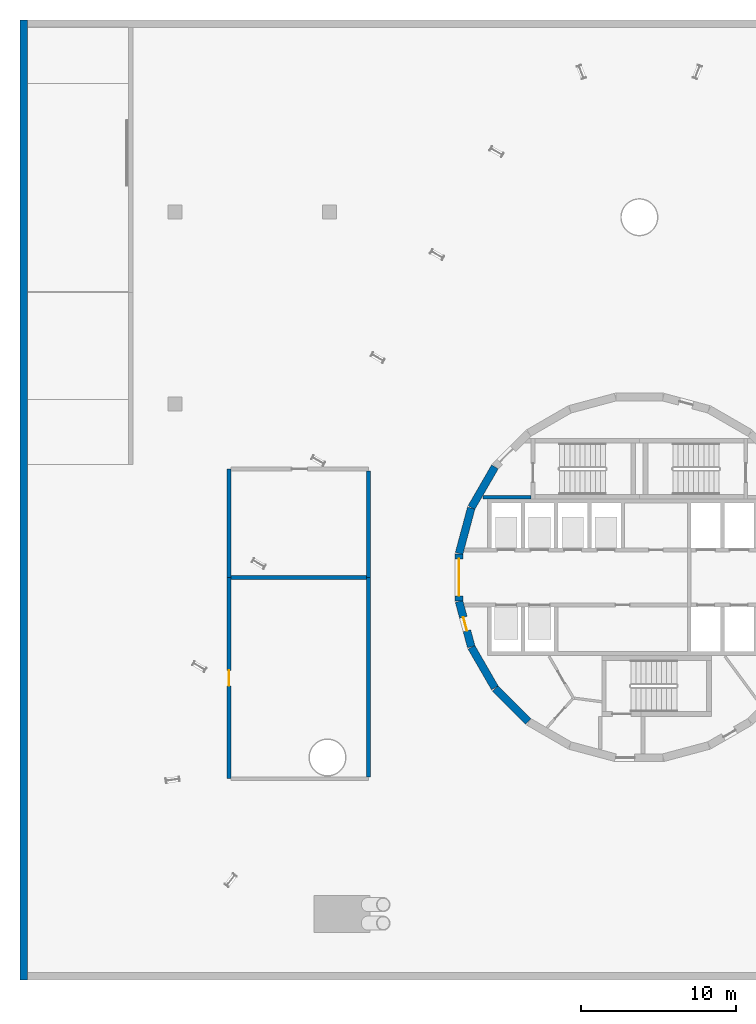
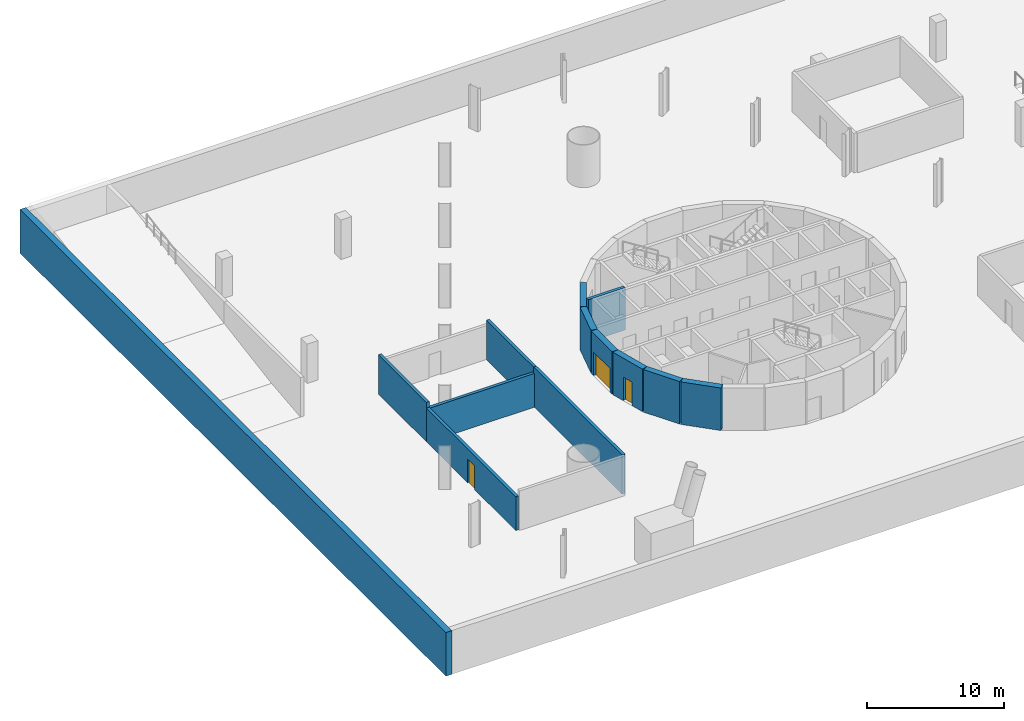
# One storey, part 4 of 10: 13 walls, 3 doors, 3 openings.
"""IFC4 building model written with IfcOpenShell, lengths in metres."""

from ifc_helpers import new_model, si_unit, direction, frame, frame_2d, origin, place, context, subcontext, project, spatial, rectangle, extrude, material, layer, layer_set, type_object, element, fill, save


model = new_model("IFC4")

# Units and contexts
model_context = context("Model", 3, precision=1e-05, world=origin(), true_north=direction((0.0, 1.0)))
body_context = subcontext(model_context, "Body", "Model", "MODEL_VIEW")
ifc_project = project(units=[si_unit("LENGTHUNIT", "METRE"), si_unit("AREAUNIT", "SQUARE_METRE"), si_unit("VOLUMEUNIT", "CUBIC_METRE"), si_unit("PLANEANGLEUNIT", "RADIAN"), si_unit("MASSUNIT", "GRAM", prefix="KILO")], contexts=[model_context])

# Site, building, storey
site_placement = place(None, origin())
site = spatial("IfcSite", under=ifc_project, at=site_placement, CompositionType="ELEMENT")
building_placement = place(site_placement, origin())
building = spatial("IfcBuilding", under=site, at=building_placement, Name="Spindle Arch Residences", CompositionType="ELEMENT")
storey_placement = place(building_placement, frame((0.0, 0.0, -4.199951171875)))
storey = spatial("IfcBuildingStorey", under=building, at=storey_placement, Name="B1", CompositionType="ELEMENT", Elevation=-4.199951171875)

# Walls
ifc_material_1 = material(Name="Concrete C40/50", Category="concrete")
ifc_layer_1 = layer(ifc_material_1, 0.5)
ifc_layer_set_1 = layer_set([ifc_layer_1], Name="Basement retaining wall 500")
wall_type_1 = type_object("IfcWallType", Name="Basement retaining wall 500", PredefinedType="SOLIDWALL", material=ifc_layer_set_1)
wall_1_placement = place(storey_placement, frame((-39.75, 36.0, -0.380126953125), z_axis=(0.0, 0.0, 1.0), x_axis=(0.0, -1.0, 0.0)))
element("IfcWall", 1, at=wall_1_placement, inside=storey, type_object=wall_type_1, Name="Retaining wall 4", PredefinedType="SOLIDWALL", context=body_context, shape_type="SweptSolid", body=[
    extrude(rectangle(XDim=62.0, YDim=0.5, at=frame_2d((31.0, 0.0))), origin(), (0.0, 0.0, 1.0), 3.880126953125),
])
ifc_material_2 = material(Name="Concrete C50/60", Category="concrete")
ifc_layer_2 = layer(ifc_material_2, 0.5)
ifc_layer_set_2 = layer_set([ifc_layer_2], Name="Core outline wall 500")
wall_type_2 = type_object("IfcWallType", Name="Core outline wall 500", PredefinedType="SHEAR", material=ifc_layer_set_2)
for number, where, z_axis, x_axis, name in (
    (2, (-9.32861328125, 7.13671875, 0.0), (0.0, 0.0, 1.0), (-0.500087131594, -0.865975092491, 0.0), "Core outline wall 16"),
    (3, (-10.858154296875, 4.479248046875, 0.0), (0.0, 0.0, 1.0), (-0.258734743916, -0.965948410781, 0.0), "Core outline wall 17"),
):
    element("IfcWall", number, at=place(storey_placement, frame(where, z_axis=z_axis, x_axis=x_axis)), inside=storey, type_object=wall_type_2, Name=name, PredefinedType="SHEAR", context=body_context, shape_type="SweptSolid", body=[
        extrude(rectangle(XDim=3.03271484375, YDim=0.5, at=frame_2d((1.516357421875, 0.0))), origin(), (0.0, 0.0, 1.0), 3.780029296875),
    ])

# Wall, opening, door
wall_2_placement = place(storey_placement, frame((-11.647216796875, 1.516357421875, 0.0), z_axis=(0.0, 0.0, 1.0), x_axis=(0.0, -1.0, 0.0)))
wall_2 = element("IfcWall", 4, at=wall_2_placement, inside=storey, type_object=wall_type_2, Name="Core outline wall 18", PredefinedType="SHEAR", context=body_context, shape_type="SweptSolid", body=[
    extrude(rectangle(XDim=3.03271484375, YDim=0.5, at=frame_2d((1.516357421875, 0.0))), origin(), (0.0, 0.0, 1.0), 3.780029296875),
])
opening_1_placement = place(wall_2_placement, frame((0.31640625, 0.0, 0.0)))
opening_1 = element("IfcOpeningElement", 5, at=opening_1_placement, cuts=wall_2, Name="Opening B1-LE01", PredefinedType="OPENING", context=body_context, shape_type="SweptSolid", body=[
    extrude(rectangle(XDim=2.39990234375, YDim=2.10009765625, at=frame_2d((1.199951171875, 1.050048828125))), frame((0.0, 0.260009765625, 0.0), z_axis=(0.0, -1.0, 0.0), x_axis=(1.0, 0.0, 0.0)), (0.0, 0.0, 1.0), 0.52001953125),
])
ifc_material_3 = material(Name="Steel, fire-resisting door", Category="steel")
door_type_1 = type_object("IfcDoorType", Name="Lift lobby entrance door 2400x2100", OperationType="DOUBLE_DOOR_SINGLE_SWING", PredefinedType="DOOR", material=ifc_material_3)
door_1_placement = place(opening_1_placement, origin())
door_1 = element("IfcDoor", 6, at=door_1_placement, inside=storey, type_object=door_type_1, Name="Lift lobby entrance door B1-LE01", OperationType="DOUBLE_DOOR_SINGLE_SWING", OverallHeight=2.10009765625, OverallWidth=2.39990234375, PredefinedType="DOOR", context=body_context, shape_type="SweptSolid", body=[
    extrude(rectangle(XDim=2.39990234375, YDim=2.10009765625, at=frame_2d((1.199951171875, 1.050048828125))), frame((0.0, 0.02490234375, 0.0), z_axis=(0.0, -1.0, 0.0), x_axis=(1.0, 0.0, 0.0)), (0.0, 0.0, 1.0), 0.050048828125),
])
fill(opening_1, door_1)

wall_3_placement = place(storey_placement, frame((-11.642822265625, -1.5498046875, 0.0), z_axis=(0.0, 0.0, 1.0), x_axis=(0.258734743916, -0.965948410781, 0.0)))
wall_3 = element("IfcWall", 7, at=wall_3_placement, inside=storey, type_object=wall_type_2, Name="Core outline wall 19", PredefinedType="SHEAR", context=body_context, shape_type="SweptSolid", body=[
    extrude(rectangle(XDim=3.03271484375, YDim=0.5, at=frame_2d((1.516357421875, 0.0))), origin(), (0.0, 0.0, 1.0), 3.780029296875),
])
opening_2_placement = place(wall_3_placement, frame((1.06640625, 0.0, 0.0)))
opening_2 = element("IfcOpeningElement", 8, at=opening_2_placement, cuts=wall_3, Name="Opening B1-WD08", PredefinedType="OPENING", context=body_context, shape_type="SweptSolid", body=[
    extrude(rectangle(XDim=0.89990234375, YDim=2.10009765625, at=frame_2d((0.449951171875, 1.050048828125))), frame((0.0, 0.260009765625, 0.0), z_axis=(0.0, -1.0, 0.0), x_axis=(1.0, 0.0, 0.0)), (0.0, 0.0, 1.0), 0.52001953125),
])
ifc_material_4 = material(Name="Steel, fire-resisting door", Category="steel")
door_type_2 = type_object("IfcDoorType", Name="Service room door 900x2100", OperationType="SINGLE_SWING_LEFT", PredefinedType="DOOR", material=ifc_material_4)
door_2_placement = place(opening_2_placement, origin())
door_2 = element("IfcDoor", 9, at=door_2_placement, inside=storey, type_object=door_type_2, Name="Service room door B1-WD08", OperationType="SINGLE_SWING_LEFT", OverallHeight=2.10009765625, OverallWidth=0.89990234375, PredefinedType="DOOR", context=body_context, shape_type="SweptSolid", body=[
    extrude(rectangle(XDim=0.89990234375, YDim=2.10009765625, at=frame_2d((0.449951171875, 1.050048828125))), frame((0.0, 0.02490234375, 0.0), z_axis=(0.0, -1.0, 0.0), x_axis=(1.0, 0.0, 0.0)), (0.0, 0.0, 1.0), 0.050048828125),
])
fill(opening_2, door_2)

# Walls
wall_4_placement = place(storey_placement, frame((-10.84521484375, -4.510498046875, 0.0), z_axis=(0.0, 0.0, 1.0), x_axis=(0.500087131594, -0.865975092491, 0.0)))
element("IfcWall", 10, at=wall_4_placement, inside=storey, type_object=wall_type_2, Name="Core outline wall 20", PredefinedType="SHEAR", context=body_context, shape_type="SweptSolid", body=[
    extrude(rectangle(XDim=3.03271484375, YDim=0.5, at=frame_2d((1.516357421875, 0.0))), origin(), (0.0, 0.0, 1.0), 3.780029296875),
])
wall_5_placement = place(storey_placement, frame((-9.30810546875, -7.163818359375, 0.0), z_axis=(0.0, 0.0, 1.0), x_axis=(0.707106781187, -0.707106781187, 0.0)))
element("IfcWall", 11, at=wall_5_placement, inside=storey, type_object=wall_type_2, Name="Core outline wall 21", PredefinedType="SHEAR", context=body_context, shape_type="SweptSolid", body=[
    extrude(rectangle(XDim=3.032470703125, YDim=0.5, at=frame_2d((1.51611328125, 0.0))), origin(), (0.0, 0.0, 1.0), 3.780029296875),
])

# Wall, opening, door
ifc_material_5 = material(Name="Concrete C25/30 wall", Category="concrete")
ifc_layer_3 = layer(ifc_material_5, 0.25)
ifc_layer_set_3 = layer_set([ifc_layer_3], Name="Partition EI 120 250 store")
wall_type_3 = type_object("IfcWallType", Name="Partition EI 120 250 store", PredefinedType="PARTITIONING", material=ifc_layer_set_3)
wall_6_placement = place(storey_placement, frame((-26.5, -13.0, 0.0), z_axis=(0.0, 0.0, 1.0), x_axis=(0.0, 1.0, 0.0)))
wall_6 = element("IfcWall", 12, at=wall_6_placement, inside=storey, type_object=wall_type_3, Name="B1-W001", PredefinedType="PARTITIONING", context=body_context, shape_type="SweptSolid", body=[
    extrude(rectangle(XDim=13.0, YDim=0.25, at=frame_2d((6.5, 0.0))), origin(), (0.0, 0.0, 1.0), 3.0),
])
opening_3_placement = place(wall_6_placement, frame((6.0, 0.0, 0.0)))
opening_3 = element("IfcOpeningElement", 13, at=opening_3_placement, cuts=wall_6, Name="Opening B1-D02", PredefinedType="OPENING", context=body_context, shape_type="SweptSolid", body=[
    extrude(rectangle(XDim=1.0, YDim=2.10009765625, at=frame_2d((0.5, 1.050048828125))), frame((0.0, 0.135009765625, 0.0), z_axis=(0.0, -1.0, 0.0), x_axis=(1.0, 0.0, 0.0)), (0.0, 0.0, 1.0), 0.27001953125),
])
ifc_material_6 = material(Name="Steel door leaf, painted", Category="steel")
door_type_3 = type_object("IfcDoorType", Name="Door 1000x2100 EI 60", OperationType="SINGLE_SWING_LEFT", PredefinedType="DOOR", material=ifc_material_6)
door_3_placement = place(opening_3_placement, origin())
door_3 = element("IfcDoor", 14, at=door_3_placement, inside=storey, type_object=door_type_3, Name="B1-D02", OperationType="SINGLE_SWING_LEFT", OverallHeight=2.10009765625, OverallWidth=1.0, PredefinedType="DOOR", context=body_context, shape_type="SweptSolid", body=[
    extrude(rectangle(XDim=1.0, YDim=2.10009765625, at=frame_2d((0.5, 1.050048828125))), frame((0.0, 0.02490234375, 0.0), z_axis=(0.0, -1.0, 0.0), x_axis=(1.0, 0.0, 0.0)), (0.0, 0.0, 1.0), 0.050048828125),
])
fill(opening_3, door_3)

# Walls
wall_7_placement = place(storey_placement, frame((-26.5, 0.0, 0.0), z_axis=(0.0, 0.0, 1.0), x_axis=(0.0, 1.0, 0.0)))
element("IfcWall", 15, at=wall_7_placement, inside=storey, type_object=wall_type_3, Name="B1-W002", PredefinedType="PARTITIONING", context=body_context, shape_type="SweptSolid", body=[
    extrude(rectangle(XDim=7.0, YDim=0.25, at=frame_2d((3.5, 0.0))), origin(), (0.0, 0.0, 1.0), 3.5),
])
wall_8_placement = place(storey_placement, frame((-26.375, 0.0, 0.0), z_axis=(0.0, 0.0, 1.0), x_axis=(1.0, 0.0, 0.0)))
element("IfcWall", 16, at=wall_8_placement, inside=storey, type_object=wall_type_3, Name="B1-W003", PredefinedType="PARTITIONING", context=body_context, shape_type="SweptSolid", body=[
    extrude(rectangle(XDim=8.75, YDim=0.25, at=frame_2d((4.375, 0.0))), origin(), (0.0, 0.0, 1.0), 3.0),
])
wall_9_placement = place(storey_placement, frame((-17.5, 0.0, 0.0), z_axis=(0.0, 0.0, 1.0), x_axis=(0.0, -1.0, 0.0)))
element("IfcWall", 17, at=wall_9_placement, inside=storey, type_object=wall_type_3, Name="B1-W006", PredefinedType="PARTITIONING", context=body_context, shape_type="SweptSolid", body=[
    extrude(rectangle(XDim=12.875, YDim=0.25, at=frame_2d((6.4375, 0.0))), origin(), (0.0, 0.0, 1.0), 3.5),
])
wall_10_placement = place(storey_placement, frame((-17.5, 6.875, 0.0), z_axis=(0.0, 0.0, 1.0), x_axis=(0.0, -1.0, 0.0)))
element("IfcWall", 18, at=wall_10_placement, inside=storey, type_object=wall_type_3, Name="B1-W007", PredefinedType="PARTITIONING", context=body_context, shape_type="SweptSolid", body=[
    extrude(rectangle(XDim=6.875, YDim=0.25, at=frame_2d((3.4375, 0.0))), origin(), (0.0, 0.0, 1.0), 3.5),
])
ifc_material_7 = material(Name="Concrete C40/50", Category="concrete")
ifc_layer_4 = layer(ifc_material_7, 0.25)
ifc_layer_set_4 = layer_set([ifc_layer_4], Name="Stair airlock wall 250")
wall_type_4 = type_object("IfcWallType", Name="Stair airlock wall 250", PredefinedType="SHEAR", material=ifc_layer_set_4)
wall_11_placement = place(storey_placement, frame((-7.0, 5.175048828125, 0.0), z_axis=(0.0, 0.0, 1.0), x_axis=(-1.0, 0.0, 0.0)))
element("IfcWall", 19, at=wall_11_placement, inside=storey, type_object=wall_type_4, Name="Stair ST-2 airlock wall S", PredefinedType="SHEAR", context=body_context, shape_type="SweptSolid", body=[
    extrude(rectangle(XDim=3.10009765625, YDim=0.25, at=frame_2d((1.550048828125, 0.0))), origin(), (0.0, 0.0, 1.0), 3.780029296875),
])

save(model, "model.ifc")
